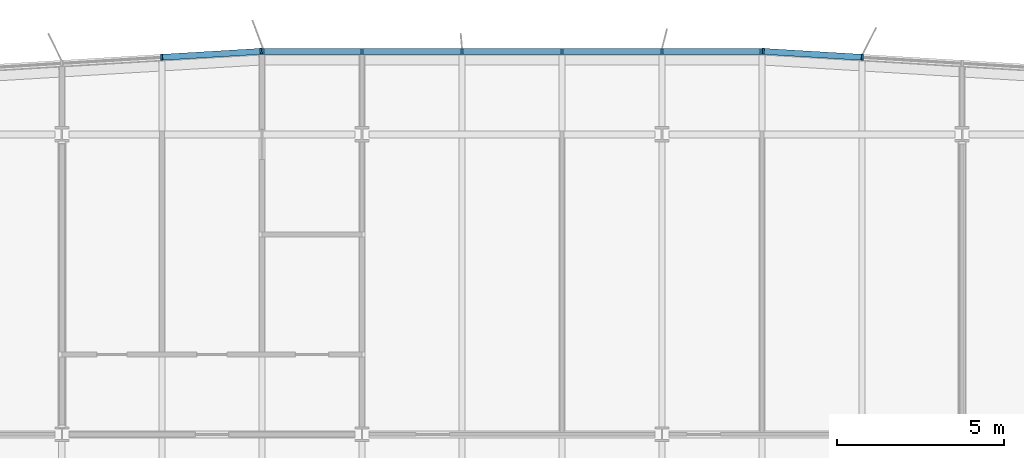
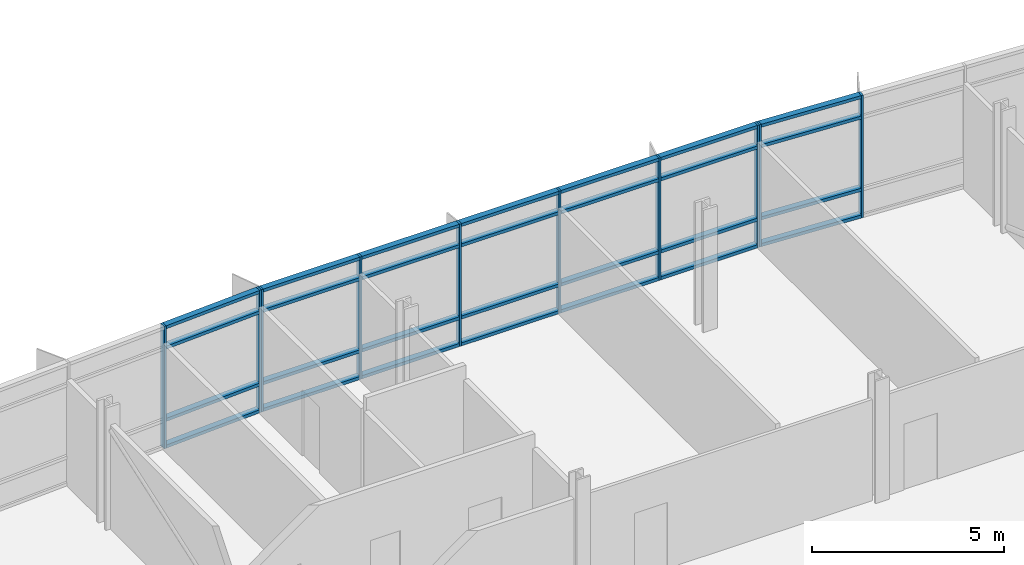
# One storey, part 8 of 17: 38 members, 3 elements without a shape of their own.
"""IFC4 building model written with IfcOpenShell, lengths in metres."""

from ifc_helpers import new_model, si_unit, direction, frame, origin, origin_2d, place, context, subcontext, project, spatial, rectangle, extrude, material, material_profile, profile_set, type_object, element, aggregate, save


model = new_model("IFC4")

# Units and contexts
model_context = context("Model", 3, precision=1e-05, world=origin(), true_north=direction((0.0, 1.0)))
body_context = subcontext(model_context, "Body", "Model", "MODEL_VIEW")
ifc_project = project(units=[si_unit("LENGTHUNIT", "METRE"), si_unit("AREAUNIT", "SQUARE_METRE"), si_unit("VOLUMEUNIT", "CUBIC_METRE"), si_unit("PLANEANGLEUNIT", "RADIAN"), si_unit("MASSUNIT", "GRAM", prefix="KILO")], contexts=[model_context])

# Site, building, storey
site_placement = place(None, origin())
site = spatial("IfcSite", under=ifc_project, at=site_placement, CompositionType="ELEMENT")
building_placement = place(site_placement, origin())
building = spatial("IfcBuilding", under=site, at=building_placement, Name="Azimuth Sports and Learning Centre", CompositionType="ELEMENT")
storey_placement = place(building_placement, frame((0.0, 0.0, 40.199951171875)))
storey = spatial("IfcBuildingStorey", under=building, at=storey_placement, Name="L08", CompositionType="ELEMENT", Elevation=40.199951171875)

# Curtain wall, members
ifc_material_1 = material(Name="Aluminium and glass", Category="aluminium")
curtain_wall_type = type_object("IfcCurtainWallType", Name="Curtain wall tower north 180", PredefinedType="NOTDEFINED", material=ifc_material_1)
curtain_wall_1_placement = place(storey_placement, origin())
curtain_wall_1 = element("IfcCurtainWall", 1, at=curtain_wall_1_placement, inside=storey, type_object=curtain_wall_type, Name="Curtain wall CW08-007", PredefinedType="NOTDEFINED")
ifc_material_2 = material(Name="Aluminium", Category="aluminium")
ifc_material_profile_1 = material_profile(ifc_material_2, rectangle(XDim=0.179931640625, YDim=0.06005859375, at=origin_2d()), Name="Mullion 60x180")
ifc_profile_set_1 = profile_set([ifc_material_profile_1], Name="Aluminium")
member_type_1 = type_object("IfcMemberType", Name="Mullion 60x180", PredefinedType="MULLION", material=ifc_profile_set_1)
member_1_placement = place(storey_placement, frame((96.00537109375, 119.309814453125, 0.0), z_axis=(0.0, 0.0, 1.0), x_axis=(-0.059891991812, -0.998204863401, 0.0)))
member_1 = element("IfcMember", 2, at=member_1_placement, type_object=member_type_1, Name="CW08-007 mullion 5", PredefinedType="MULLION", context=body_context, shape_type="SweptSolid", body=[
    extrude(rectangle(XDim=0.179931640625, YDim=0.06005859375, at=origin_2d()), origin(), (0.0, 0.0, 1.0), 3.900146484375),
])
member_2_placement = place(storey_placement, frame((93.035400390625, 119.488037109375, 0.0), z_axis=(0.0, 0.0, 1.0), x_axis=(-0.059891991812, -0.998204863401, 0.0)))
member_2 = element("IfcMember", 3, at=member_2_placement, type_object=member_type_1, Name="CW08-007 mullion 6", PredefinedType="MULLION", context=body_context, shape_type="SweptSolid", body=[
    extrude(rectangle(XDim=0.179931640625, YDim=0.06005859375, at=origin_2d()), origin(), (0.0, 0.0, 1.0), 3.900146484375),
])

curtain_wall_2_placement = place(storey_placement, origin())
curtain_wall_2 = element("IfcCurtainWall", 4, at=curtain_wall_2_placement, inside=storey, type_object=curtain_wall_type, Name="Curtain wall CW08-008", PredefinedType="NOTDEFINED")
member_3_placement = place(storey_placement, frame((92.975341796875, 119.489990234375, 0.0), z_axis=(0.0, 0.0, 1.0), x_axis=(0.0, -1.0, 0.0)))
member_3 = element("IfcMember", 5, at=member_3_placement, type_object=member_type_1, Name="CW08-008 mullion 1", PredefinedType="MULLION", context=body_context, shape_type="SweptSolid", body=[
    extrude(rectangle(XDim=0.179931640625, YDim=0.06005859375, at=origin_2d()), origin(), (0.0, 0.0, 1.0), 3.900146484375),
])
member_4_placement = place(storey_placement, frame((90.0, 119.489990234375, 0.0), z_axis=(0.0, 0.0, 1.0), x_axis=(0.0, -1.0, 0.0)))
member_4 = element("IfcMember", 6, at=member_4_placement, type_object=member_type_1, Name="CW08-008 mullion 2", PredefinedType="MULLION", context=body_context, shape_type="SweptSolid", body=[
    extrude(rectangle(XDim=0.179931640625, YDim=0.06005859375, at=origin_2d()), origin(), (0.0, 0.0, 1.0), 3.900146484375),
])
member_5_placement = place(storey_placement, frame((87.0, 119.489990234375, 0.0), z_axis=(0.0, 0.0, 1.0), x_axis=(0.0, -1.0, 0.0)))
member_5 = element("IfcMember", 7, at=member_5_placement, type_object=member_type_1, Name="CW08-008 mullion 3", PredefinedType="MULLION", context=body_context, shape_type="SweptSolid", body=[
    extrude(rectangle(XDim=0.179931640625, YDim=0.06005859375, at=origin_2d()), origin(), (0.0, 0.0, 1.0), 3.900146484375),
])
member_6_placement = place(storey_placement, frame((84.0, 119.489990234375, 0.0), z_axis=(0.0, 0.0, 1.0), x_axis=(0.0, -1.0, 0.0)))
member_6 = element("IfcMember", 8, at=member_6_placement, type_object=member_type_1, Name="CW08-008 mullion 4", PredefinedType="MULLION", context=body_context, shape_type="SweptSolid", body=[
    extrude(rectangle(XDim=0.179931640625, YDim=0.06005859375, at=origin_2d()), origin(), (0.0, 0.0, 1.0), 3.900146484375),
])
member_7_placement = place(storey_placement, frame((81.0, 119.489990234375, 0.0), z_axis=(0.0, 0.0, 1.0), x_axis=(0.0, -1.0, 0.0)))
member_7 = element("IfcMember", 9, at=member_7_placement, type_object=member_type_1, Name="CW08-008 mullion 5", PredefinedType="MULLION", context=body_context, shape_type="SweptSolid", body=[
    extrude(rectangle(XDim=0.179931640625, YDim=0.06005859375, at=origin_2d()), origin(), (0.0, 0.0, 1.0), 3.900146484375),
])
member_8_placement = place(storey_placement, frame((78.030029296875, 119.489990234375, 0.0), z_axis=(0.0, 0.0, 1.0), x_axis=(0.0, -1.0, 0.0)))
member_8 = element("IfcMember", 10, at=member_8_placement, type_object=member_type_1, Name="CW08-008 mullion 6", PredefinedType="MULLION", context=body_context, shape_type="SweptSolid", body=[
    extrude(rectangle(XDim=0.179931640625, YDim=0.06005859375, at=origin_2d()), origin(), (0.0, 0.0, 1.0), 3.900146484375),
])

curtain_wall_3_placement = place(storey_placement, origin())
curtain_wall_3 = element("IfcCurtainWall", 11, at=curtain_wall_3_placement, inside=storey, type_object=curtain_wall_type, Name="Curtain wall CW08-009", PredefinedType="NOTDEFINED")
member_9_placement = place(storey_placement, frame((77.969970703125, 119.48828125, 0.0), z_axis=(0.0, 0.0, 1.0), x_axis=(0.059891991812, -0.998204863401, 0.0)))
member_9 = element("IfcMember", 12, at=member_9_placement, type_object=member_type_1, Name="CW08-009 mullion 1", PredefinedType="MULLION", context=body_context, shape_type="SweptSolid", body=[
    extrude(rectangle(XDim=0.179931640625, YDim=0.06005859375, at=origin_2d()), origin(), (0.0, 0.0, 1.0), 3.900146484375),
])
member_10_placement = place(storey_placement, frame((74.99462890625, 119.309814453125, 0.0), z_axis=(0.0, 0.0, 1.0), x_axis=(0.059891991812, -0.998204863401, 0.0)))
member_10 = element("IfcMember", 13, at=member_10_placement, type_object=member_type_1, Name="CW08-009 mullion 2", PredefinedType="MULLION", context=body_context, shape_type="SweptSolid", body=[
    extrude(rectangle(XDim=0.179931640625, YDim=0.06005859375, at=origin_2d()), origin(), (0.0, 0.0, 1.0), 3.900146484375),
])

# Member
ifc_material_3 = material(Name="Aluminium", Category="aluminium")
ifc_material_profile_2 = material_profile(ifc_material_3, rectangle(XDim=0.179931640625, YDim=0.10009765625, at=origin_2d()), Name="Transom 100x180")
ifc_profile_set_2 = profile_set([ifc_material_profile_2], Name="Aluminium")
member_type_2 = type_object("IfcMemberType", Name="Transom 100x180", PredefinedType="USERDEFINED", material=ifc_profile_set_2)
member_11_placement = place(storey_placement, frame((95.975341796875, 119.3115234375, 0.050048828125), z_axis=(-0.998200838052, 0.059959043628, 0.0), x_axis=(-0.059959043628, -0.998200838052, 0.0)))
member_11 = element("IfcMember", 14, at=member_11_placement, type_object=member_type_2, Name="CW08-007 transom 5.1", ObjectType="TRANSOM", PredefinedType="USERDEFINED", context=body_context, shape_type="SweptSolid", body=[
    extrude(rectangle(XDim=0.179931640625, YDim=0.10009765625, at=origin_2d()), origin(), (0.0, 0.0, 1.0), 2.915283203125),
])

member_12_placement = place(storey_placement, frame((95.975341796875, 119.3115234375, 0.900146484375), z_axis=(-0.998200838052, 0.059959043628, 0.0), x_axis=(-0.059959043628, -0.998200838052, 0.0)))
member_12 = element("IfcMember", 15, at=member_12_placement, type_object=member_type_2, Name="CW08-007 transom 5.2", ObjectType="TRANSOM", PredefinedType="USERDEFINED", context=body_context, shape_type="SweptSolid", body=[
    extrude(rectangle(XDim=0.179931640625, YDim=0.10009765625, at=origin_2d()), origin(), (0.0, 0.0, 1.0), 2.915283203125),
])

member_13_placement = place(storey_placement, frame((95.975341796875, 119.3115234375, 3.199951171875), z_axis=(-0.998200838052, 0.059959043628, 0.0), x_axis=(-0.059959043628, -0.998200838052, 0.0)))
member_13 = element("IfcMember", 16, at=member_13_placement, type_object=member_type_2, Name="CW08-007 transom 5.3", ObjectType="TRANSOM", PredefinedType="USERDEFINED", context=body_context, shape_type="SweptSolid", body=[
    extrude(rectangle(XDim=0.179931640625, YDim=0.10009765625, at=origin_2d()), origin(), (0.0, 0.0, 1.0), 2.915283203125),
])

member_14_placement = place(storey_placement, frame((95.975341796875, 119.3115234375, 3.85009765625), z_axis=(-0.998200838052, 0.059959043628, 0.0), x_axis=(-0.059959043628, -0.998200838052, 0.0)))
member_14 = element("IfcMember", 17, at=member_14_placement, type_object=member_type_2, Name="CW08-007 transom 5.4", ObjectType="TRANSOM", PredefinedType="USERDEFINED", context=body_context, shape_type="SweptSolid", body=[
    extrude(rectangle(XDim=0.179931640625, YDim=0.10009765625, at=origin_2d()), origin(), (0.0, 0.0, 1.0), 2.915283203125),
])

aggregate(curtain_wall_1, [member_1, member_2, member_11, member_12, member_13, member_14])

member_15_placement = place(storey_placement, frame((92.9453125, 119.489990234375, 0.050048828125), z_axis=(-1.0, 0.0, 0.0), x_axis=(0.0, -1.0, 0.0)))
member_15 = element("IfcMember", 18, at=member_15_placement, type_object=member_type_2, Name="CW08-008 transom 1.1", ObjectType="TRANSOM", PredefinedType="USERDEFINED", context=body_context, shape_type="SweptSolid", body=[
    extrude(rectangle(XDim=0.179931640625, YDim=0.10009765625, at=origin_2d()), origin(), (0.0, 0.0, 1.0), 2.915283203125),
])

member_16_placement = place(storey_placement, frame((92.9453125, 119.489990234375, 0.900146484375), z_axis=(-1.0, 0.0, 0.0), x_axis=(0.0, -1.0, 0.0)))
member_16 = element("IfcMember", 19, at=member_16_placement, type_object=member_type_2, Name="CW08-008 transom 1.2", ObjectType="TRANSOM", PredefinedType="USERDEFINED", context=body_context, shape_type="SweptSolid", body=[
    extrude(rectangle(XDim=0.179931640625, YDim=0.10009765625, at=origin_2d()), origin(), (0.0, 0.0, 1.0), 2.915283203125),
])

member_17_placement = place(storey_placement, frame((92.9453125, 119.489990234375, 3.199951171875), z_axis=(-1.0, 0.0, 0.0), x_axis=(0.0, -1.0, 0.0)))
member_17 = element("IfcMember", 20, at=member_17_placement, type_object=member_type_2, Name="CW08-008 transom 1.3", ObjectType="TRANSOM", PredefinedType="USERDEFINED", context=body_context, shape_type="SweptSolid", body=[
    extrude(rectangle(XDim=0.179931640625, YDim=0.10009765625, at=origin_2d()), origin(), (0.0, 0.0, 1.0), 2.915283203125),
])

member_18_placement = place(storey_placement, frame((92.9453125, 119.489990234375, 3.85009765625), z_axis=(-1.0, 0.0, 0.0), x_axis=(0.0, -1.0, 0.0)))
member_18 = element("IfcMember", 21, at=member_18_placement, type_object=member_type_2, Name="CW08-008 transom 1.4", ObjectType="TRANSOM", PredefinedType="USERDEFINED", context=body_context, shape_type="SweptSolid", body=[
    extrude(rectangle(XDim=0.179931640625, YDim=0.10009765625, at=origin_2d()), origin(), (0.0, 0.0, 1.0), 2.915283203125),
])

member_19_placement = place(storey_placement, frame((89.969970703125, 119.489990234375, 0.050048828125), z_axis=(-1.0, 0.0, 0.0), x_axis=(0.0, -1.0, 0.0)))
member_19 = element("IfcMember", 22, at=member_19_placement, type_object=member_type_2, Name="CW08-008 transom 2.1", ObjectType="TRANSOM", PredefinedType="USERDEFINED", context=body_context, shape_type="SweptSolid", body=[
    extrude(rectangle(XDim=0.179931640625, YDim=0.10009765625, at=origin_2d()), origin(), (0.0, 0.0, 1.0), 2.93994140625),
])

member_20_placement = place(storey_placement, frame((89.969970703125, 119.489990234375, 0.900146484375), z_axis=(-1.0, 0.0, 0.0), x_axis=(0.0, -1.0, 0.0)))
member_20 = element("IfcMember", 23, at=member_20_placement, type_object=member_type_2, Name="CW08-008 transom 2.2", ObjectType="TRANSOM", PredefinedType="USERDEFINED", context=body_context, shape_type="SweptSolid", body=[
    extrude(rectangle(XDim=0.179931640625, YDim=0.10009765625, at=origin_2d()), origin(), (0.0, 0.0, 1.0), 2.93994140625),
])

member_21_placement = place(storey_placement, frame((89.969970703125, 119.489990234375, 3.199951171875), z_axis=(-1.0, 0.0, 0.0), x_axis=(0.0, -1.0, 0.0)))
member_21 = element("IfcMember", 24, at=member_21_placement, type_object=member_type_2, Name="CW08-008 transom 2.3", ObjectType="TRANSOM", PredefinedType="USERDEFINED", context=body_context, shape_type="SweptSolid", body=[
    extrude(rectangle(XDim=0.179931640625, YDim=0.10009765625, at=origin_2d()), origin(), (0.0, 0.0, 1.0), 2.93994140625),
])

member_22_placement = place(storey_placement, frame((89.969970703125, 119.489990234375, 3.85009765625), z_axis=(-1.0, 0.0, 0.0), x_axis=(0.0, -1.0, 0.0)))
member_22 = element("IfcMember", 25, at=member_22_placement, type_object=member_type_2, Name="CW08-008 transom 2.4", ObjectType="TRANSOM", PredefinedType="USERDEFINED", context=body_context, shape_type="SweptSolid", body=[
    extrude(rectangle(XDim=0.179931640625, YDim=0.10009765625, at=origin_2d()), origin(), (0.0, 0.0, 1.0), 2.93994140625),
])

member_23_placement = place(storey_placement, frame((86.969970703125, 119.489990234375, 0.050048828125), z_axis=(-1.0, 0.0, 0.0), x_axis=(0.0, -1.0, 0.0)))
member_23 = element("IfcMember", 26, at=member_23_placement, type_object=member_type_2, Name="CW08-008 transom 3.1", ObjectType="TRANSOM", PredefinedType="USERDEFINED", context=body_context, shape_type="SweptSolid", body=[
    extrude(rectangle(XDim=0.179931640625, YDim=0.10009765625, at=origin_2d()), origin(), (0.0, 0.0, 1.0), 2.93994140625),
])

member_24_placement = place(storey_placement, frame((86.969970703125, 119.489990234375, 0.900146484375), z_axis=(-1.0, 0.0, 0.0), x_axis=(0.0, -1.0, 0.0)))
member_24 = element("IfcMember", 27, at=member_24_placement, type_object=member_type_2, Name="CW08-008 transom 3.2", ObjectType="TRANSOM", PredefinedType="USERDEFINED", context=body_context, shape_type="SweptSolid", body=[
    extrude(rectangle(XDim=0.179931640625, YDim=0.10009765625, at=origin_2d()), origin(), (0.0, 0.0, 1.0), 2.93994140625),
])

member_25_placement = place(storey_placement, frame((86.969970703125, 119.489990234375, 3.199951171875), z_axis=(-1.0, 0.0, 0.0), x_axis=(0.0, -1.0, 0.0)))
member_25 = element("IfcMember", 28, at=member_25_placement, type_object=member_type_2, Name="CW08-008 transom 3.3", ObjectType="TRANSOM", PredefinedType="USERDEFINED", context=body_context, shape_type="SweptSolid", body=[
    extrude(rectangle(XDim=0.179931640625, YDim=0.10009765625, at=origin_2d()), origin(), (0.0, 0.0, 1.0), 2.93994140625),
])

member_26_placement = place(storey_placement, frame((86.969970703125, 119.489990234375, 3.85009765625), z_axis=(-1.0, 0.0, 0.0), x_axis=(0.0, -1.0, 0.0)))
member_26 = element("IfcMember", 29, at=member_26_placement, type_object=member_type_2, Name="CW08-008 transom 3.4", ObjectType="TRANSOM", PredefinedType="USERDEFINED", context=body_context, shape_type="SweptSolid", body=[
    extrude(rectangle(XDim=0.179931640625, YDim=0.10009765625, at=origin_2d()), origin(), (0.0, 0.0, 1.0), 2.93994140625),
])

member_27_placement = place(storey_placement, frame((83.969970703125, 119.489990234375, 0.050048828125), z_axis=(-1.0, 0.0, 0.0), x_axis=(0.0, -1.0, 0.0)))
member_27 = element("IfcMember", 30, at=member_27_placement, type_object=member_type_2, Name="CW08-008 transom 4.1", ObjectType="TRANSOM", PredefinedType="USERDEFINED", context=body_context, shape_type="SweptSolid", body=[
    extrude(rectangle(XDim=0.179931640625, YDim=0.10009765625, at=origin_2d()), origin(), (0.0, 0.0, 1.0), 2.93994140625),
])

member_28_placement = place(storey_placement, frame((83.969970703125, 119.489990234375, 0.900146484375), z_axis=(-1.0, 0.0, 0.0), x_axis=(0.0, -1.0, 0.0)))
member_28 = element("IfcMember", 31, at=member_28_placement, type_object=member_type_2, Name="CW08-008 transom 4.2", ObjectType="TRANSOM", PredefinedType="USERDEFINED", context=body_context, shape_type="SweptSolid", body=[
    extrude(rectangle(XDim=0.179931640625, YDim=0.10009765625, at=origin_2d()), origin(), (0.0, 0.0, 1.0), 2.93994140625),
])

member_29_placement = place(storey_placement, frame((83.969970703125, 119.489990234375, 3.199951171875), z_axis=(-1.0, 0.0, 0.0), x_axis=(0.0, -1.0, 0.0)))
member_29 = element("IfcMember", 32, at=member_29_placement, type_object=member_type_2, Name="CW08-008 transom 4.3", ObjectType="TRANSOM", PredefinedType="USERDEFINED", context=body_context, shape_type="SweptSolid", body=[
    extrude(rectangle(XDim=0.179931640625, YDim=0.10009765625, at=origin_2d()), origin(), (0.0, 0.0, 1.0), 2.93994140625),
])

member_30_placement = place(storey_placement, frame((83.969970703125, 119.489990234375, 3.85009765625), z_axis=(-1.0, 0.0, 0.0), x_axis=(0.0, -1.0, 0.0)))
member_30 = element("IfcMember", 33, at=member_30_placement, type_object=member_type_2, Name="CW08-008 transom 4.4", ObjectType="TRANSOM", PredefinedType="USERDEFINED", context=body_context, shape_type="SweptSolid", body=[
    extrude(rectangle(XDim=0.179931640625, YDim=0.10009765625, at=origin_2d()), origin(), (0.0, 0.0, 1.0), 2.93994140625),
])

member_31_placement = place(storey_placement, frame((80.969970703125, 119.489990234375, 0.050048828125), z_axis=(-1.0, 0.0, 0.0), x_axis=(0.0, -1.0, 0.0)))
member_31 = element("IfcMember", 34, at=member_31_placement, type_object=member_type_2, Name="CW08-008 transom 5.1", ObjectType="TRANSOM", PredefinedType="USERDEFINED", context=body_context, shape_type="SweptSolid", body=[
    extrude(rectangle(XDim=0.179931640625, YDim=0.10009765625, at=origin_2d()), origin(), (0.0, 0.0, 1.0), 2.909912109375),
])

member_32_placement = place(storey_placement, frame((80.969970703125, 119.489990234375, 0.900146484375), z_axis=(-1.0, 0.0, 0.0), x_axis=(0.0, -1.0, 0.0)))
member_32 = element("IfcMember", 35, at=member_32_placement, type_object=member_type_2, Name="CW08-008 transom 5.2", ObjectType="TRANSOM", PredefinedType="USERDEFINED", context=body_context, shape_type="SweptSolid", body=[
    extrude(rectangle(XDim=0.179931640625, YDim=0.10009765625, at=origin_2d()), origin(), (0.0, 0.0, 1.0), 2.909912109375),
])

member_33_placement = place(storey_placement, frame((80.969970703125, 119.489990234375, 3.199951171875), z_axis=(-1.0, 0.0, 0.0), x_axis=(0.0, -1.0, 0.0)))
member_33 = element("IfcMember", 36, at=member_33_placement, type_object=member_type_2, Name="CW08-008 transom 5.3", ObjectType="TRANSOM", PredefinedType="USERDEFINED", context=body_context, shape_type="SweptSolid", body=[
    extrude(rectangle(XDim=0.179931640625, YDim=0.10009765625, at=origin_2d()), origin(), (0.0, 0.0, 1.0), 2.909912109375),
])

member_34_placement = place(storey_placement, frame((80.969970703125, 119.489990234375, 3.85009765625), z_axis=(-1.0, 0.0, 0.0), x_axis=(0.0, -1.0, 0.0)))
member_34 = element("IfcMember", 37, at=member_34_placement, type_object=member_type_2, Name="CW08-008 transom 5.4", ObjectType="TRANSOM", PredefinedType="USERDEFINED", context=body_context, shape_type="SweptSolid", body=[
    extrude(rectangle(XDim=0.179931640625, YDim=0.10009765625, at=origin_2d()), origin(), (0.0, 0.0, 1.0), 2.909912109375),
])

aggregate(curtain_wall_2, [member_3, member_4, member_5, member_6, member_7, member_8, member_15, member_16, member_17, member_18, member_19, member_20, member_21, member_22, member_23, member_24, member_25, member_26, member_27, member_28, member_29, member_30, member_31, member_32, member_33, member_34])

member_35_placement = place(storey_placement, frame((77.940185546875, 119.486572265625, 0.050048828125), z_axis=(-0.998202445979, -0.05993226878, 0.0), x_axis=(0.05993226878, -0.998202445979, 0.0)))
member_35 = element("IfcMember", 38, at=member_35_placement, type_object=member_type_2, Name="CW08-009 transom 1.1", ObjectType="TRANSOM", PredefinedType="USERDEFINED", context=body_context, shape_type="SweptSolid", body=[
    extrude(rectangle(XDim=0.179931640625, YDim=0.10009765625, at=origin_2d()), origin(), (0.0, 0.0, 1.0), 2.9208984375),
])

member_36_placement = place(storey_placement, frame((77.940185546875, 119.486572265625, 0.900146484375), z_axis=(-0.998202445979, -0.05993226878, 0.0), x_axis=(0.05993226878, -0.998202445979, 0.0)))
member_36 = element("IfcMember", 39, at=member_36_placement, type_object=member_type_2, Name="CW08-009 transom 1.2", ObjectType="TRANSOM", PredefinedType="USERDEFINED", context=body_context, shape_type="SweptSolid", body=[
    extrude(rectangle(XDim=0.179931640625, YDim=0.10009765625, at=origin_2d()), origin(), (0.0, 0.0, 1.0), 2.9208984375),
])

member_37_placement = place(storey_placement, frame((77.940185546875, 119.486572265625, 3.199951171875), z_axis=(-0.998202445979, -0.05993226878, 0.0), x_axis=(0.05993226878, -0.998202445979, 0.0)))
member_37 = element("IfcMember", 40, at=member_37_placement, type_object=member_type_2, Name="CW08-009 transom 1.3", ObjectType="TRANSOM", PredefinedType="USERDEFINED", context=body_context, shape_type="SweptSolid", body=[
    extrude(rectangle(XDim=0.179931640625, YDim=0.10009765625, at=origin_2d()), origin(), (0.0, 0.0, 1.0), 2.9208984375),
])

member_38_placement = place(storey_placement, frame((77.940185546875, 119.486572265625, 3.85009765625), z_axis=(-0.998202445979, -0.05993226878, 0.0), x_axis=(0.05993226878, -0.998202445979, 0.0)))
member_38 = element("IfcMember", 41, at=member_38_placement, type_object=member_type_2, Name="CW08-009 transom 1.4", ObjectType="TRANSOM", PredefinedType="USERDEFINED", context=body_context, shape_type="SweptSolid", body=[
    extrude(rectangle(XDim=0.179931640625, YDim=0.10009765625, at=origin_2d()), origin(), (0.0, 0.0, 1.0), 2.9208984375),
])

aggregate(curtain_wall_3, [member_9, member_10, member_35, member_36, member_37, member_38])

save(model, "model.ifc")
